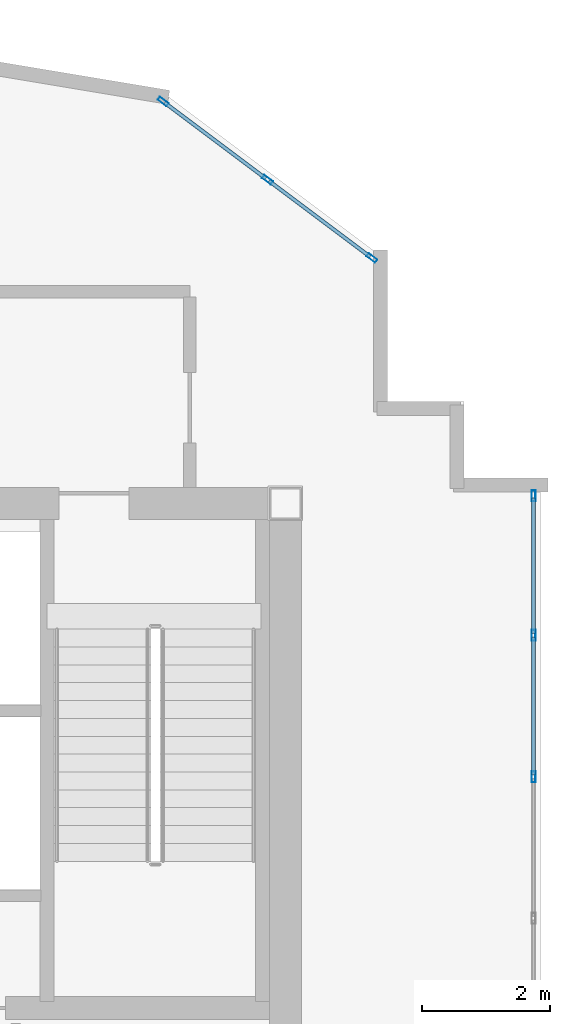
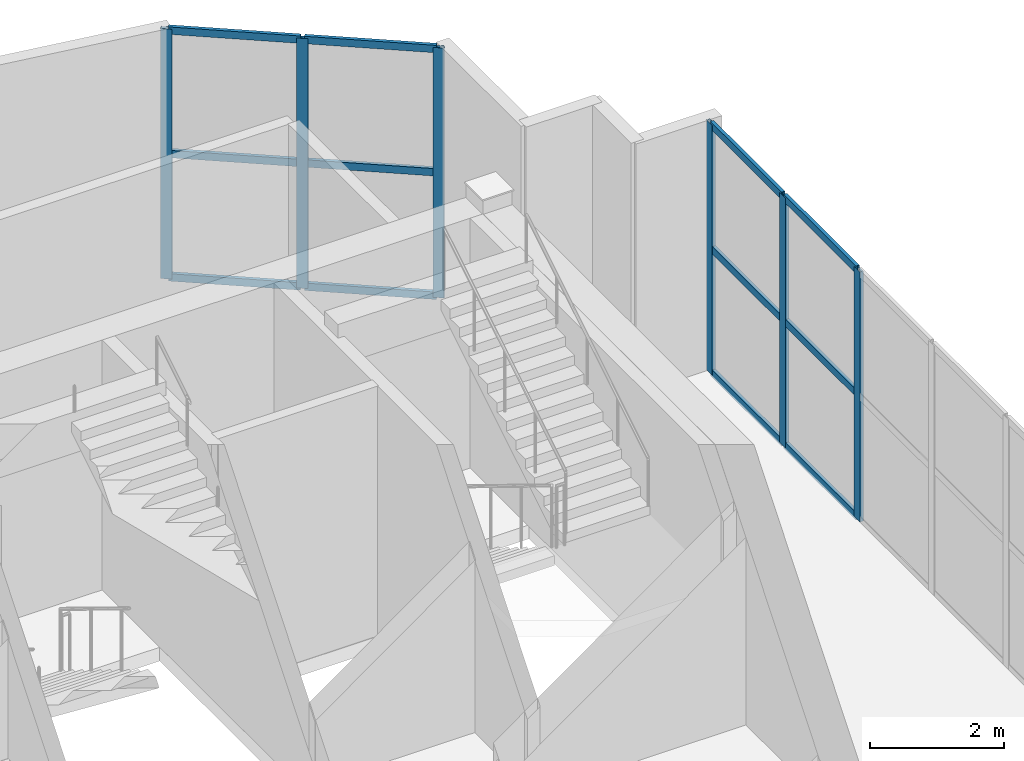
# One storey, part 5 of 9: 18 members, 2 elements without a shape of their own.
"""IFC4 building model written with IfcOpenShell, lengths in metres."""

from ifc_helpers import new_model, si_unit, direction, frame, origin, origin_2d, place, context, subcontext, project, spatial, hollow_rectangle, extrude, material, layer, layer_set, material_profile, profile_set, type_object, element, aggregate, save


model = new_model("IFC4")

# Units and contexts
model_context = context("Model", 3, precision=1e-05, world=origin(), true_north=direction((0.0, 1.0)))
body_context = subcontext(model_context, "Body", "Model", "MODEL_VIEW")
ifc_project = project(units=[si_unit("LENGTHUNIT", "METRE"), si_unit("AREAUNIT", "SQUARE_METRE"), si_unit("VOLUMEUNIT", "CUBIC_METRE"), si_unit("PLANEANGLEUNIT", "RADIAN"), si_unit("MASSUNIT", "GRAM", prefix="KILO")], contexts=[model_context])

# Site, building, storey
site_placement = place(None, origin())
site = spatial("IfcSite", under=ifc_project, at=site_placement, CompositionType="ELEMENT")
building_placement = place(site_placement, origin())
building = spatial("IfcBuilding", under=site, at=building_placement, Name="Haolan Belvedere Tower", CompositionType="ELEMENT")
storey_placement = place(building_placement, frame((0.0, 0.0, 328.199951171875)))
storey = spatial("IfcBuildingStorey", under=building, at=storey_placement, Name="L82", CompositionType="ELEMENT", Elevation=328.199951171875)

# Curtain wall, members
ifc_material_1 = material(Name="Anodised champagne-silver aluminium 6063-T6 and Low-E glass", Category="aluminium")
ifc_layer = layer(ifc_material_1, 0.172119140625, Name="Anodised champagne-silver aluminium 6063-T6 and Low-E glass")
ifc_layer_set = layer_set([ifc_layer], Name="Anodised champagne-silver aluminium 6063-T6 and Low-E glass")
curtain_wall_type = type_object("IfcCurtainWallType", Name="CW-SYS-07", PredefinedType="NOTDEFINED", material=ifc_layer_set)
curtain_wall_1_placement = place(storey_placement, origin())
curtain_wall_1 = element("IfcCurtainWall", 1, at=curtain_wall_1_placement, inside=storey, type_object=curtain_wall_type, Name="L82 CW-SYS-07 ribbon curtain wall 4.1", PredefinedType="NOTDEFINED")
ifc_material_2 = material(Name="Anodised aluminium 6063-T6", Category="aluminium")
ifc_material_profile_1 = material_profile(ifc_material_2, hollow_rectangle(XDim=0.06201171875, YDim=0.172119140625, WallThickness=0.00390625, at=origin_2d()), Name="Anodised aluminium 6063-T6")
ifc_profile_set_1 = profile_set([ifc_material_profile_1], Name="Anodised aluminium 6063-T6")
member_type_1 = type_object("IfcMemberType", Name="CW-SYS-07-MUL", PredefinedType="MULLION", material=ifc_profile_set_1)
member_1_placement = place(storey_placement, frame((50.68994140625, 38.913818359375, 0.0), z_axis=(0.0, 0.0, 1.0), x_axis=(-1.0, 0.0, 0.0)))
member_1 = element("IfcMember", 2, at=member_1_placement, type_object=member_type_1, Name="CW-07 mullion 8", PredefinedType="MULLION", context=body_context, shape_type="SweptSolid", body=[
    extrude(hollow_rectangle(XDim=0.06201171875, YDim=0.172119140625, WallThickness=0.00390625, at=origin_2d()), origin(), (0.0, 0.0, 1.0), 4.550048828125),
])
member_2_placement = place(storey_placement, frame((50.68994140625, 41.1318359375, 0.0), z_axis=(0.0, 0.0, 1.0), x_axis=(-1.0, 0.0, 0.0)))
member_2 = element("IfcMember", 3, at=member_2_placement, type_object=member_type_1, Name="CW-07 mullion 9", PredefinedType="MULLION", context=body_context, shape_type="SweptSolid", body=[
    extrude(hollow_rectangle(XDim=0.06201171875, YDim=0.172119140625, WallThickness=0.00390625, at=origin_2d()), origin(), (0.0, 0.0, 1.0), 4.550048828125),
])
member_3_placement = place(storey_placement, frame((50.68994140625, 43.319091796875, 0.0), z_axis=(0.0, 0.0, 1.0), x_axis=(-1.0, 0.0, 0.0)))
member_3 = element("IfcMember", 4, at=member_3_placement, type_object=member_type_1, Name="CW-07 mullion 10", PredefinedType="MULLION", context=body_context, shape_type="SweptSolid", body=[
    extrude(hollow_rectangle(XDim=0.06201171875, YDim=0.172119140625, WallThickness=0.00390625, at=origin_2d()), origin(), (0.0, 0.0, 1.0), 4.550048828125),
])

curtain_wall_2_placement = place(storey_placement, origin())
curtain_wall_2 = element("IfcCurtainWall", 5, at=curtain_wall_2_placement, inside=storey, type_object=curtain_wall_type, Name="L82 CW-SYS-07 ribbon curtain wall 9.1", PredefinedType="NOTDEFINED")
member_4_placement = place(storey_placement, frame((48.1533203125, 47.047607421875, 0.0), z_axis=(0.0, 0.0, 1.0), x_axis=(-0.600011565036, -0.799991326093, 0.0)))
member_4 = element("IfcMember", 6, at=member_4_placement, type_object=member_type_1, Name="CW-07 mullion 1", PredefinedType="MULLION", context=body_context, shape_type="SweptSolid", body=[
    extrude(hollow_rectangle(XDim=0.06201171875, YDim=0.172119140625, WallThickness=0.00390625, at=origin_2d()), origin(), (0.0, 0.0, 1.0), 4.550048828125),
])
member_5_placement = place(storey_placement, frame((46.517822265625, 48.274169921875, 0.0), z_axis=(0.0, 0.0, 1.0), x_axis=(-0.600011565036, -0.799991326093, 0.0)))
member_5 = element("IfcMember", 7, at=member_5_placement, type_object=member_type_1, Name="CW-07 mullion 2", PredefinedType="MULLION", context=body_context, shape_type="SweptSolid", body=[
    extrude(hollow_rectangle(XDim=0.06201171875, YDim=0.172119140625, WallThickness=0.00390625, at=origin_2d()), origin(), (0.0, 0.0, 1.0), 4.550048828125),
])
member_6_placement = place(storey_placement, frame((44.882568359375, 49.500732421875, 0.0), z_axis=(0.0, 0.0, 1.0), x_axis=(-0.600011565036, -0.799991326093, 0.0)))
member_6 = element("IfcMember", 8, at=member_6_placement, type_object=member_type_1, Name="CW-07 mullion 3", PredefinedType="MULLION", context=body_context, shape_type="SweptSolid", body=[
    extrude(hollow_rectangle(XDim=0.06201171875, YDim=0.172119140625, WallThickness=0.00390625, at=origin_2d()), origin(), (0.0, 0.0, 1.0), 4.550048828125),
])

# Member
ifc_material_profile_2 = material_profile(ifc_material_2, hollow_rectangle(XDim=0.05810546875, YDim=0.135009765625, WallThickness=0.00390625, at=origin_2d()), Name="Anodised aluminium 6063-T6")
ifc_profile_set_2 = profile_set([ifc_material_profile_2], Name="Anodised aluminium 6063-T6")
member_type_2 = type_object("IfcMemberType", Name="CW-SYS-07-TRN", PredefinedType="USERDEFINED", material=ifc_profile_set_2)
member_7_placement = place(storey_placement, frame((50.68994140625, 38.94482421875, 0.029052734375), z_axis=(0.0, 1.0, 0.0), x_axis=(-1.0, 0.0, 0.0)))
member_7 = element("IfcMember", 9, at=member_7_placement, type_object=member_type_2, Name="CW-07 transom 8.1", ObjectType="TRANSOM", PredefinedType="USERDEFINED", context=body_context, shape_type="SweptSolid", body=[
    extrude(hollow_rectangle(XDim=0.05810546875, YDim=0.135009765625, WallThickness=0.00390625, at=origin_2d()), origin(), (0.0, 0.0, 1.0), 2.156005859375),
])

member_8_placement = place(storey_placement, frame((50.68994140625, 38.94482421875, 2.275146484375), z_axis=(0.0, 1.0, 0.0), x_axis=(-1.0, 0.0, 0.0)))
member_8 = element("IfcMember", 10, at=member_8_placement, type_object=member_type_2, Name="CW-07 transom 8.2", ObjectType="TRANSOM", PredefinedType="USERDEFINED", context=body_context, shape_type="SweptSolid", body=[
    extrude(hollow_rectangle(XDim=0.05810546875, YDim=0.135009765625, WallThickness=0.00390625, at=origin_2d()), origin(), (0.0, 0.0, 1.0), 2.156005859375),
])

member_9_placement = place(storey_placement, frame((50.68994140625, 38.94482421875, 4.52099609375), z_axis=(0.0, 1.0, 0.0), x_axis=(-1.0, 0.0, 0.0)))
member_9 = element("IfcMember", 11, at=member_9_placement, type_object=member_type_2, Name="CW-07 transom 8.3", ObjectType="TRANSOM", PredefinedType="USERDEFINED", context=body_context, shape_type="SweptSolid", body=[
    extrude(hollow_rectangle(XDim=0.05810546875, YDim=0.135009765625, WallThickness=0.00390625, at=origin_2d()), origin(), (0.0, 0.0, 1.0), 2.156005859375),
])

member_10_placement = place(storey_placement, frame((50.68994140625, 41.162841796875, 0.029052734375), z_axis=(0.0, 1.0, 0.0), x_axis=(-1.0, 0.0, 0.0)))
member_10 = element("IfcMember", 12, at=member_10_placement, type_object=member_type_2, Name="CW-07 transom 9.1", ObjectType="TRANSOM", PredefinedType="USERDEFINED", context=body_context, shape_type="SweptSolid", body=[
    extrude(hollow_rectangle(XDim=0.05810546875, YDim=0.135009765625, WallThickness=0.00390625, at=origin_2d()), origin(), (0.0, 0.0, 1.0), 2.125244140625),
])

member_11_placement = place(storey_placement, frame((50.68994140625, 41.162841796875, 2.275146484375), z_axis=(0.0, 1.0, 0.0), x_axis=(-1.0, 0.0, 0.0)))
member_11 = element("IfcMember", 13, at=member_11_placement, type_object=member_type_2, Name="CW-07 transom 9.2", ObjectType="TRANSOM", PredefinedType="USERDEFINED", context=body_context, shape_type="SweptSolid", body=[
    extrude(hollow_rectangle(XDim=0.05810546875, YDim=0.135009765625, WallThickness=0.00390625, at=origin_2d()), origin(), (0.0, 0.0, 1.0), 2.125244140625),
])

member_12_placement = place(storey_placement, frame((50.68994140625, 41.162841796875, 4.52099609375), z_axis=(0.0, 1.0, 0.0), x_axis=(-1.0, 0.0, 0.0)))
member_12 = element("IfcMember", 14, at=member_12_placement, type_object=member_type_2, Name="CW-07 transom 9.3", ObjectType="TRANSOM", PredefinedType="USERDEFINED", context=body_context, shape_type="SweptSolid", body=[
    extrude(hollow_rectangle(XDim=0.05810546875, YDim=0.135009765625, WallThickness=0.00390625, at=origin_2d()), origin(), (0.0, 0.0, 1.0), 2.125244140625),
])

aggregate(curtain_wall_1, [member_1, member_2, member_3, member_7, member_8, member_9, member_10, member_11, member_12])

member_13_placement = place(storey_placement, frame((48.12841796875, 47.066162109375, 0.029052734375), z_axis=(-0.799955658472, 0.600059117487, 0.0), x_axis=(-0.600059117487, -0.799955658472, 0.0)))
member_13 = element("IfcMember", 15, at=member_13_placement, type_object=member_type_2, Name="CW-07 transom 1.1", ObjectType="TRANSOM", PredefinedType="USERDEFINED", context=body_context, shape_type="SweptSolid", body=[
    extrude(hollow_rectangle(XDim=0.05810546875, YDim=0.135009765625, WallThickness=0.00390625, at=origin_2d()), origin(), (0.0, 0.0, 1.0), 1.982177734375),
])

member_14_placement = place(storey_placement, frame((48.12841796875, 47.066162109375, 2.275146484375), z_axis=(-0.799955658472, 0.600059117487, 0.0), x_axis=(-0.600059117487, -0.799955658472, 0.0)))
member_14 = element("IfcMember", 16, at=member_14_placement, type_object=member_type_2, Name="CW-07 transom 1.2", ObjectType="TRANSOM", PredefinedType="USERDEFINED", context=body_context, shape_type="SweptSolid", body=[
    extrude(hollow_rectangle(XDim=0.05810546875, YDim=0.135009765625, WallThickness=0.00390625, at=origin_2d()), origin(), (0.0, 0.0, 1.0), 1.982177734375),
])

member_15_placement = place(storey_placement, frame((48.12841796875, 47.066162109375, 4.52099609375), z_axis=(-0.799955658472, 0.600059117487, 0.0), x_axis=(-0.600059117487, -0.799955658472, 0.0)))
member_15 = element("IfcMember", 17, at=member_15_placement, type_object=member_type_2, Name="CW-07 transom 1.3", ObjectType="TRANSOM", PredefinedType="USERDEFINED", context=body_context, shape_type="SweptSolid", body=[
    extrude(hollow_rectangle(XDim=0.05810546875, YDim=0.135009765625, WallThickness=0.00390625, at=origin_2d()), origin(), (0.0, 0.0, 1.0), 1.982177734375),
])

member_16_placement = place(storey_placement, frame((46.4931640625, 48.292724609375, 0.029052734375), z_axis=(-0.8, 0.6, 0.0), x_axis=(-0.6, -0.8, 0.0)))
member_16 = element("IfcMember", 18, at=member_16_placement, type_object=member_type_2, Name="CW-07 transom 2.1", ObjectType="TRANSOM", PredefinedType="USERDEFINED", context=body_context, shape_type="SweptSolid", body=[
    extrude(hollow_rectangle(XDim=0.05810546875, YDim=0.135009765625, WallThickness=0.00390625, at=origin_2d()), origin(), (0.0, 0.0, 1.0), 1.982421875),
])

member_17_placement = place(storey_placement, frame((46.4931640625, 48.292724609375, 2.275146484375), z_axis=(-0.8, 0.6, 0.0), x_axis=(-0.6, -0.8, 0.0)))
member_17 = element("IfcMember", 19, at=member_17_placement, type_object=member_type_2, Name="CW-07 transom 2.2", ObjectType="TRANSOM", PredefinedType="USERDEFINED", context=body_context, shape_type="SweptSolid", body=[
    extrude(hollow_rectangle(XDim=0.05810546875, YDim=0.135009765625, WallThickness=0.00390625, at=origin_2d()), origin(), (0.0, 0.0, 1.0), 1.982421875),
])

member_18_placement = place(storey_placement, frame((46.4931640625, 48.292724609375, 4.52099609375), z_axis=(-0.8, 0.6, 0.0), x_axis=(-0.6, -0.8, 0.0)))
member_18 = element("IfcMember", 20, at=member_18_placement, type_object=member_type_2, Name="CW-07 transom 2.3", ObjectType="TRANSOM", PredefinedType="USERDEFINED", context=body_context, shape_type="SweptSolid", body=[
    extrude(hollow_rectangle(XDim=0.05810546875, YDim=0.135009765625, WallThickness=0.00390625, at=origin_2d()), origin(), (0.0, 0.0, 1.0), 1.982421875),
])

aggregate(curtain_wall_2, [member_4, member_5, member_6, member_13, member_14, member_15, member_16, member_17, member_18])

save(model, "model.ifc")
